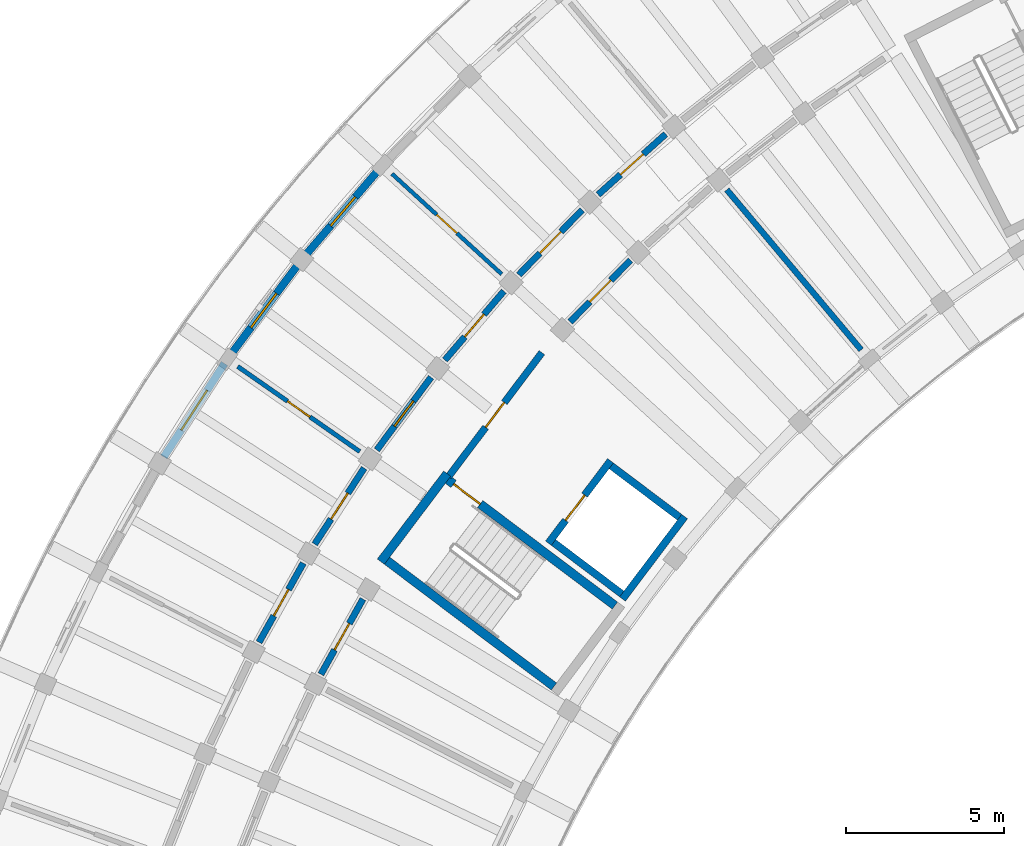
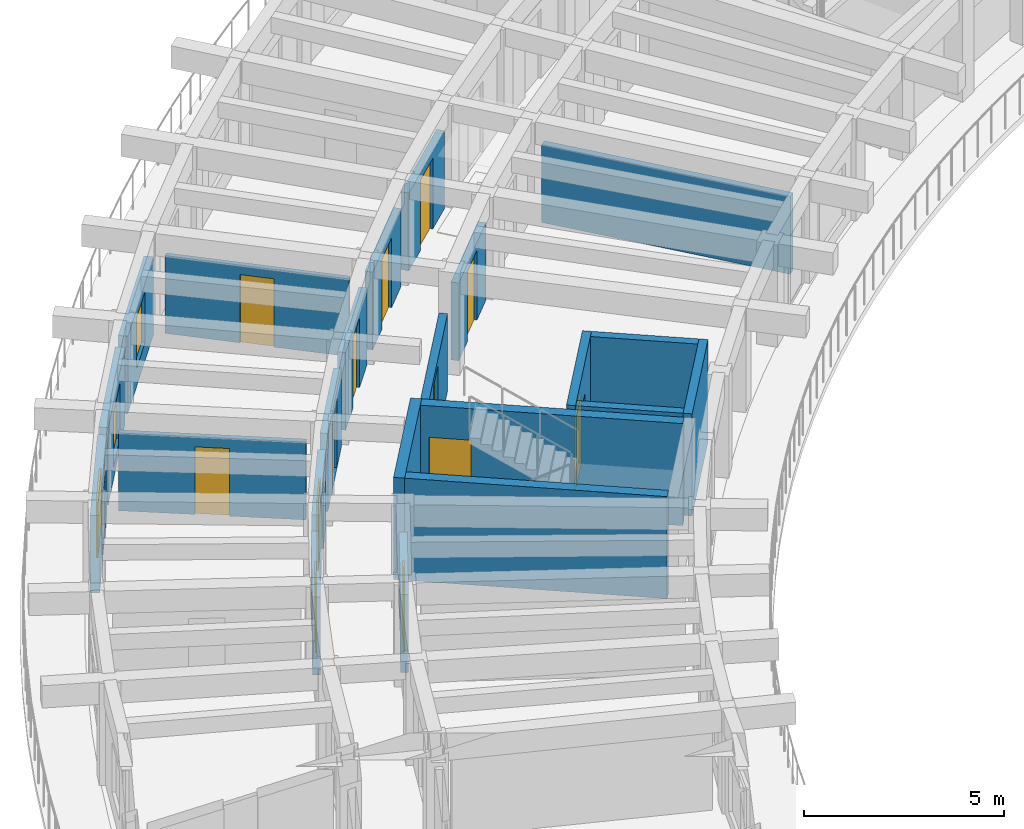
# One storey, part 34 of 69: 22 walls, 13 doors, 3 windows, 16 openings.
"""IFC4 building model written with IfcOpenShell, lengths in metres."""

from ifc_helpers import new_model, si_unit, direction, frame, frame_2d, origin, place, context, subcontext, project, spatial, rectangle, extrude, material, layer, layer_set, type_object, element, fill, save


model = new_model("IFC4")

# Units and contexts
model_context = context("Model", 3, precision=1e-05, world=origin(), true_north=direction((0.0, 1.0)))
body_context = subcontext(model_context, "Body", "Model", "MODEL_VIEW")
ifc_project = project(units=[si_unit("LENGTHUNIT", "METRE"), si_unit("AREAUNIT", "SQUARE_METRE"), si_unit("VOLUMEUNIT", "CUBIC_METRE"), si_unit("PLANEANGLEUNIT", "RADIAN"), si_unit("MASSUNIT", "GRAM", prefix="KILO")], contexts=[model_context])

# Site, building, storey
site_placement = place(None, origin())
site = spatial("IfcSite", under=ifc_project, at=site_placement, CompositionType="ELEMENT")
building_placement = place(site_placement, origin())
building = spatial("IfcBuilding", under=site, at=building_placement, Name="Tanwirah Colonnade Gardens", CompositionType="ELEMENT")
storey_placement = place(building_placement, frame((0.0, 0.0, 15.56005859375)))
storey = spatial("IfcBuildingStorey", under=building, at=storey_placement, Name="L04", CompositionType="ELEMENT", Elevation=15.56005859375)

# Wall, opening, window
ifc_material_1 = material(Name="Limestone architectural precast concrete C40/50", Category="masonry")
ifc_layer_1 = layer(ifc_material_1, 0.2451171875)
ifc_layer_set_1 = layer_set([ifc_layer_1], Name="Limestone architectural precast concrete C40/50")
wall_type_1 = type_object("IfcWallType", Name="EW-PC245", PredefinedType="SOLIDWALL", material=ifc_layer_set_1)
wall_1_placement = place(storey_placement, frame((20.9521484375, 100.267333984375, 0.0), z_axis=(0.0, 0.0, 1.0), x_axis=(-0.65016298181, -0.759794773004, 0.0)))
wall_1 = element("IfcWall", 1, at=wall_1_placement, inside=storey, type_object=wall_type_1, Name="Block A L04 OUT Precast Facade Wall 11", PredefinedType="SOLIDWALL", context=body_context, shape_type="SweptSolid", body=[
    extrude(rectangle(XDim=3.520751953125, YDim=0.2451171875, at=frame_2d((1.76025390625, 0.0))), origin(), (0.0, 0.0, 1.0), 2.35498046875),
])
opening_1_placement = place(wall_1_placement, frame((1.160400390625, 0.0, 0.550048828125)))
opening_1 = element("IfcOpeningElement", 2, at=opening_1_placement, cuts=wall_1, Name="Opening WIN-T02", PredefinedType="OPENING", context=body_context, shape_type="SweptSolid", body=[
    extrude(rectangle(XDim=1.199951171875, YDim=1.550048828125, at=frame_2d((0.60009765625, 0.77490234375))), frame((0.0, 0.132568359375, 0.0), z_axis=(0.0, -1.0, 0.0), x_axis=(1.0, 0.0, 0.0)), (0.0, 0.0, 1.0), 0.26513671875),
])
ifc_material_2 = material(Name="Thermally broken bronze aluminium and solar low-E double glazing", Category="aluminium")
window_type_1 = type_object("IfcWindowType", Name="WIN-T02", PartitioningType="SINGLE_PANEL", PredefinedType="WINDOW", material=ifc_material_2)
window_1_placement = place(opening_1_placement, origin())
window_1 = element("IfcWindow", 3, at=window_1_placement, inside=storey, type_object=window_type_1, Name="Facade window A-L04-OUT-11", OverallHeight=1.550048828125, OverallWidth=1.199951171875, PartitioningType="SINGLE_PANEL", PredefinedType="WINDOW", context=body_context, shape_type="SweptSolid", body=[
    extrude(rectangle(XDim=1.199951171875, YDim=1.550048828125, at=frame_2d((0.60009765625, 0.77490234375))), frame((0.0, 0.030029296875, 0.0), z_axis=(0.0, -1.0, 0.0), x_axis=(1.0, 0.0, 0.0)), (0.0, 0.0, 1.0), 0.06005859375),
])
fill(opening_1, window_1)

wall_2_placement = place(storey_placement, frame((18.35693359375, 97.2099609375, 0.0), z_axis=(0.0, 0.0, 1.0), x_axis=(-0.598701122926, -0.800972512267, 0.0)))
wall_2 = element("IfcWall", 4, at=wall_2_placement, inside=storey, type_object=wall_type_1, Name="Block A L04 OUT Precast Facade Wall 12", PredefinedType="SOLIDWALL", context=body_context, shape_type="SweptSolid", body=[
    extrude(rectangle(XDim=3.520751953125, YDim=0.2451171875, at=frame_2d((1.76025390625, 0.0))), origin(), (0.0, 0.0, 1.0), 2.35498046875),
])
opening_2_placement = place(wall_2_placement, frame((1.085205078125, 0.0, 0.35009765625)))
opening_2 = element("IfcOpeningElement", 5, at=opening_2_placement, cuts=wall_2, Name="Opening WIN-T05", PredefinedType="OPENING", context=body_context, shape_type="SweptSolid", body=[
    extrude(rectangle(XDim=1.35009765625, YDim=1.64990234375, at=frame_2d((0.675048828125, 0.824951171875))), frame((0.0, 0.132568359375, 0.0), z_axis=(0.0, -1.0, 0.0), x_axis=(1.0, 0.0, 0.0)), (0.0, 0.0, 1.0), 0.26513671875),
])
window_type_2 = type_object("IfcWindowType", Name="WIN-T05", PartitioningType="DOUBLE_PANEL_VERTICAL", PredefinedType="WINDOW", material=ifc_material_2)
window_2_placement = place(opening_2_placement, origin())
window_2 = element("IfcWindow", 6, at=window_2_placement, inside=storey, type_object=window_type_2, Name="Facade window A-L04-OUT-12", OverallHeight=1.64990234375, OverallWidth=1.35009765625, PartitioningType="SINGLE_PANEL", PredefinedType="WINDOW", context=body_context, shape_type="SweptSolid", body=[
    extrude(rectangle(XDim=1.35009765625, YDim=1.64990234375, at=frame_2d((0.675048828125, 0.824951171875))), frame((0.0, 0.030029296875, 0.0), z_axis=(0.0, -1.0, 0.0), x_axis=(1.0, 0.0, 0.0)), (0.0, 0.0, 1.0), 0.06005859375),
])
fill(opening_2, window_2)

wall_3_placement = place(storey_placement, frame((16.066162109375, 94.127685546875, 0.0), z_axis=(0.0, 0.0, 1.0), x_axis=(-0.544610510414, -0.838689091349, 0.0)))
wall_3 = element("IfcWall", 7, at=wall_3_placement, inside=storey, type_object=wall_type_1, Name="Block A L04 OUT Precast Facade Wall 13", PredefinedType="SOLIDWALL", context=body_context, shape_type="SweptSolid", body=[
    extrude(rectangle(XDim=3.520751953125, YDim=0.2451171875, at=frame_2d((1.76025390625, 0.0))), origin(), (0.0, 0.0, 1.0), 2.35498046875),
])
opening_3_placement = place(wall_3_placement, frame((1.01025390625, 0.0, 0.35009765625)))
opening_3 = element("IfcOpeningElement", 8, at=opening_3_placement, cuts=wall_3, Name="Opening WIN-T08", PredefinedType="OPENING", context=body_context, shape_type="SweptSolid", body=[
    extrude(rectangle(XDim=1.5, YDim=1.699951171875, at=frame_2d((0.75, 0.85009765625))), frame((0.0, 0.132568359375, 0.0), z_axis=(0.0, -1.0, 0.0), x_axis=(1.0, 0.0, 0.0)), (0.0, 0.0, 1.0), 0.26513671875),
])
window_type_3 = type_object("IfcWindowType", Name="WIN-T08", PartitioningType="DOUBLE_PANEL_VERTICAL", PredefinedType="WINDOW", material=ifc_material_2)
window_3_placement = place(opening_3_placement, origin())
window_3 = element("IfcWindow", 9, at=window_3_placement, inside=storey, type_object=window_type_3, Name="Facade window A-L04-OUT-13", OverallHeight=1.699951171875, OverallWidth=1.5, PartitioningType="SINGLE_PANEL", PredefinedType="WINDOW", context=body_context, shape_type="SweptSolid", body=[
    extrude(rectangle(XDim=1.5, YDim=1.699951171875, at=frame_2d((0.75, 0.85009765625))), frame((0.0, 0.030029296875, 0.0), z_axis=(0.0, -1.0, 0.0), x_axis=(1.0, 0.0, 0.0)), (0.0, 0.0, 1.0), 0.06005859375),
])
fill(opening_3, window_3)

# Wall, opening, door
ifc_material_3 = material(Name="Precast concrete C40/50", Category="concrete")
ifc_layer_2 = layer(ifc_material_3, 0.205078125)
ifc_layer_set_2 = layer_set([ifc_layer_2], Name="Precast concrete C40/50")
wall_type_2 = type_object("IfcWallType", Name="IW-CORR205", PredefinedType="PARTITIONING", material=ifc_layer_set_2)
wall_4_placement = place(storey_placement, frame((29.996826171875, 101.37109375, 0.0), z_axis=(0.0, 0.0, 1.0), x_axis=(-0.744433521088, -0.667696587291, 0.0)))
wall_4 = element("IfcWall", 10, at=wall_4_placement, inside=storey, type_object=wall_type_2, Name="Block A L04 OUT Corridor Wall 9", PredefinedType="PARTITIONING", context=body_context, shape_type="SweptSolid", body=[
    extrude(rectangle(XDim=2.86328125, YDim=0.205078125, at=frame_2d((1.431640625, 0.0))), origin(), (0.0, 0.0, 1.0), 2.369873046875),
])
opening_4_placement = place(wall_4_placement, frame((0.946533203125, 0.0, 0.0)))
opening_4 = element("IfcOpeningElement", 11, at=opening_4_placement, cuts=wall_4, Name="Opening L04-AD410", PredefinedType="OPENING", context=body_context, shape_type="SweptSolid", body=[
    extrude(rectangle(XDim=0.969970703125, YDim=2.14990234375, at=frame_2d((0.48486328125, 1.074951171875))), frame((0.0, 0.112548828125, 0.0), z_axis=(0.0, -1.0, 0.0), x_axis=(1.0, 0.0, 0.0)), (0.0, 0.0, 1.0), 0.22509765625),
])
ifc_material_4 = material(Name="Solid oak fire-resisting apartment entrance door")
door_type_1 = type_object("IfcDoorType", Name="ID-FLT097", OperationType="NOTDEFINED", PredefinedType="DOOR", material=ifc_material_4)
door_1_placement = place(opening_4_placement, origin())
door_1 = element("IfcDoor", 12, at=door_1_placement, inside=storey, type_object=door_type_1, Name="Apartment corridor door L04-AD410", OperationType="SINGLE_SWING_RIGHT", OverallHeight=2.14990234375, OverallWidth=0.969970703125, PredefinedType="DOOR", context=body_context, shape_type="SweptSolid", body=[
    extrude(rectangle(XDim=0.969970703125, YDim=2.14990234375, at=frame_2d((0.48486328125, 1.074951171875))), frame((0.0, 0.02490234375, 0.0), z_axis=(0.0, -1.0, 0.0), x_axis=(1.0, 0.0, 0.0)), (0.0, 0.0, 1.0), 0.050048828125),
])
fill(opening_4, door_1)

wall_5_placement = place(storey_placement, frame((27.360107421875, 98.975341796875, 0.0), z_axis=(0.0, 0.0, 1.0), x_axis=(-0.698787219683, -0.715329589496, 0.0)))
wall_5 = element("IfcWall", 13, at=wall_5_placement, inside=storey, type_object=wall_type_2, Name="Block A L04 OUT Corridor Wall 10", PredefinedType="PARTITIONING", context=body_context, shape_type="SweptSolid", body=[
    extrude(rectangle(XDim=2.863037109375, YDim=0.205078125, at=frame_2d((1.431640625, 0.0))), origin(), (0.0, 0.0, 1.0), 2.369873046875),
])
opening_5_placement = place(wall_5_placement, frame((0.95654296875, 0.0, 0.0)))
opening_5 = element("IfcOpeningElement", 14, at=opening_5_placement, cuts=wall_5, Name="Opening L04-AD412", PredefinedType="OPENING", context=body_context, shape_type="SweptSolid", body=[
    extrude(rectangle(XDim=0.949951171875, YDim=2.1298828125, at=frame_2d((0.47509765625, 1.06494140625))), frame((0.0, 0.112548828125, 0.0), z_axis=(0.0, -1.0, 0.0), x_axis=(1.0, 0.0, 0.0)), (0.0, 0.0, 1.0), 0.22509765625),
])
door_type_2 = type_object("IfcDoorType", Name="ID-FLT095", OperationType="NOTDEFINED", PredefinedType="DOOR", material=ifc_material_4)
door_2_placement = place(opening_5_placement, origin())
door_2 = element("IfcDoor", 15, at=door_2_placement, inside=storey, type_object=door_type_2, Name="Apartment corridor door L04-AD412", OperationType="SINGLE_SWING_LEFT", OverallHeight=2.1298828125, OverallWidth=0.949951171875, PredefinedType="DOOR", context=body_context, shape_type="SweptSolid", body=[
    extrude(rectangle(XDim=0.949951171875, YDim=2.1298828125, at=frame_2d((0.47509765625, 1.06494140625))), frame((0.0, 0.02490234375, 0.0), z_axis=(0.0, -1.0, 0.0), x_axis=(1.0, 0.0, 0.0)), (0.0, 0.0, 1.0), 0.050048828125),
])
fill(opening_5, door_2)

wall_6_placement = place(storey_placement, frame((28.88232421875, 97.38671875, 0.0), z_axis=(0.0, 0.0, 1.0), x_axis=(-0.698840007829, -0.715278018296, 0.0)))
wall_6 = element("IfcWall", 16, at=wall_6_placement, inside=storey, type_object=wall_type_2, Name="Block A L04 IN Corridor Wall 10", PredefinedType="PARTITIONING", context=body_context, shape_type="SweptSolid", body=[
    extrude(rectangle(XDim=2.718017578125, YDim=0.205078125, at=frame_2d((1.35888671875, 0.0))), origin(), (0.0, 0.0, 1.0), 2.369873046875),
])
opening_6_placement = place(wall_6_placement, frame((0.884033203125, 0.0, 0.0)))
opening_6 = element("IfcOpeningElement", 17, at=opening_6_placement, cuts=wall_6, Name="Opening L04-AD413", PredefinedType="OPENING", context=body_context, shape_type="SweptSolid", body=[
    extrude(rectangle(XDim=0.949951171875, YDim=2.1298828125, at=frame_2d((0.47509765625, 1.06494140625))), frame((0.0, 0.112548828125, 0.0), z_axis=(0.0, -1.0, 0.0), x_axis=(1.0, 0.0, 0.0)), (0.0, 0.0, 1.0), 0.22509765625),
])
door_3_placement = place(opening_6_placement, origin())
door_3 = element("IfcDoor", 18, at=door_3_placement, inside=storey, type_object=door_type_2, Name="Apartment corridor door L04-AD413", OperationType="SINGLE_SWING_RIGHT", OverallHeight=2.1298828125, OverallWidth=0.949951171875, PredefinedType="DOOR", context=body_context, shape_type="SweptSolid", body=[
    extrude(rectangle(XDim=0.949951171875, YDim=2.1298828125, at=frame_2d((0.47509765625, 1.06494140625))), frame((0.0, 0.02490234375, 0.0), z_axis=(0.0, -1.0, 0.0), x_axis=(1.0, 0.0, 0.0)), (0.0, 0.0, 1.0), 0.050048828125),
])
fill(opening_6, door_3)

wall_7_placement = place(storey_placement, frame((24.88720703125, 96.4111328125, 0.0), z_axis=(0.0, 0.0, 1.0), x_axis=(-0.650194272684, -0.759767996015, 0.0)))
wall_7 = element("IfcWall", 19, at=wall_7_placement, inside=storey, type_object=wall_type_2, Name="Block A L04 OUT Corridor Wall 11", PredefinedType="PARTITIONING", context=body_context, shape_type="SweptSolid", body=[
    extrude(rectangle(XDim=2.863037109375, YDim=0.205078125, at=frame_2d((1.431640625, 0.0))), origin(), (0.0, 0.0, 1.0), 2.369873046875),
])
opening_7_placement = place(wall_7_placement, frame((0.966552734375, 0.0, 0.0)))
opening_7 = element("IfcOpeningElement", 20, at=opening_7_placement, cuts=wall_7, Name="Opening L04-AD415", PredefinedType="OPENING", context=body_context, shape_type="SweptSolid", body=[
    extrude(rectangle(XDim=0.929931640625, YDim=2.1201171875, at=frame_2d((0.46484375, 1.06005859375))), frame((0.0, 0.112548828125, 0.0), z_axis=(0.0, -1.0, 0.0), x_axis=(1.0, 0.0, 0.0)), (0.0, 0.0, 1.0), 0.22509765625),
])
door_type_3 = type_object("IfcDoorType", Name="ID-FLT093", OperationType="NOTDEFINED", PredefinedType="DOOR", material=ifc_material_4)
door_4_placement = place(opening_7_placement, origin())
door_4 = element("IfcDoor", 21, at=door_4_placement, inside=storey, type_object=door_type_3, Name="Apartment corridor door L04-AD415", OperationType="SINGLE_SWING_RIGHT", OverallHeight=2.1201171875, OverallWidth=0.929931640625, PredefinedType="DOOR", context=body_context, shape_type="SweptSolid", body=[
    extrude(rectangle(XDim=0.929931640625, YDim=2.1201171875, at=frame_2d((0.46484375, 1.06005859375))), frame((0.0, 0.02490234375, 0.0), z_axis=(0.0, -1.0, 0.0), x_axis=(1.0, 0.0, 0.0)), (0.0, 0.0, 1.0), 0.050048828125),
])
fill(opening_7, door_4)

wall_8_placement = place(storey_placement, frame((22.588623046875, 93.689453125, 0.0), z_axis=(0.0, 0.0, 1.0), x_axis=(-0.598757763243, -0.800930172335, 0.0)))
wall_8 = element("IfcWall", 22, at=wall_8_placement, inside=storey, type_object=wall_type_2, Name="Block A L04 OUT Corridor Wall 12", PredefinedType="PARTITIONING", context=body_context, shape_type="SweptSolid", body=[
    extrude(rectangle(XDim=2.86328125, YDim=0.205078125, at=frame_2d((1.431640625, 0.0))), origin(), (0.0, 0.0, 1.0), 2.369873046875),
])
opening_8_placement = place(wall_8_placement, frame((0.9365234375, 0.0, 0.0)))
opening_8 = element("IfcOpeningElement", 23, at=opening_8_placement, cuts=wall_8, Name="Opening L04-AD416", PredefinedType="OPENING", context=body_context, shape_type="SweptSolid", body=[
    extrude(rectangle(XDim=0.989990234375, YDim=2.159912109375, at=frame_2d((0.4951171875, 1.080078125))), frame((0.0, 0.112548828125, 0.0), z_axis=(0.0, -1.0, 0.0), x_axis=(1.0, 0.0, 0.0)), (0.0, 0.0, 1.0), 0.22509765625),
])
door_type_4 = type_object("IfcDoorType", Name="ID-FLT099", OperationType="NOTDEFINED", PredefinedType="DOOR", material=ifc_material_4)
door_5_placement = place(opening_8_placement, origin())
door_5 = element("IfcDoor", 24, at=door_5_placement, inside=storey, type_object=door_type_4, Name="Apartment corridor door L04-AD416", OperationType="SINGLE_SWING_LEFT", OverallHeight=2.159912109375, OverallWidth=0.989990234375, PredefinedType="DOOR", context=body_context, shape_type="SweptSolid", body=[
    extrude(rectangle(XDim=0.989990234375, YDim=2.159912109375, at=frame_2d((0.4951171875, 1.080078125))), frame((0.0, 0.02490234375, 0.0), z_axis=(0.0, -1.0, 0.0), x_axis=(1.0, 0.0, 0.0)), (0.0, 0.0, 1.0), 0.050048828125),
])
fill(opening_8, door_5)

wall_9_placement = place(storey_placement, frame((20.47412109375, 90.822265625, 0.0), z_axis=(0.0, 0.0, 1.0), x_axis=(-0.544643612649, -0.838667595178, 0.0)))
wall_9 = element("IfcWall", 25, at=wall_9_placement, inside=storey, type_object=wall_type_2, Name="Block A L04 OUT Corridor Wall 13", PredefinedType="PARTITIONING", context=body_context, shape_type="SweptSolid", body=[
    extrude(rectangle(XDim=2.863037109375, YDim=0.205078125, at=frame_2d((1.431640625, 0.0))), origin(), (0.0, 0.0, 1.0), 2.369873046875),
])
opening_9_placement = place(wall_9_placement, frame((0.946533203125, 0.0, 0.0)))
opening_9 = element("IfcOpeningElement", 26, at=opening_9_placement, cuts=wall_9, Name="Opening L04-AD418", PredefinedType="OPENING", context=body_context, shape_type="SweptSolid", body=[
    extrude(rectangle(XDim=0.969970703125, YDim=2.14990234375, at=frame_2d((0.48486328125, 1.074951171875))), frame((0.0, 0.112548828125, 0.0), z_axis=(0.0, -1.0, 0.0), x_axis=(1.0, 0.0, 0.0)), (0.0, 0.0, 1.0), 0.22509765625),
])
door_6_placement = place(opening_9_placement, origin())
door_6 = element("IfcDoor", 27, at=door_6_placement, inside=storey, type_object=door_type_1, Name="Apartment corridor door L04-AD418", OperationType="SINGLE_SWING_RIGHT", OverallHeight=2.14990234375, OverallWidth=0.969970703125, PredefinedType="DOOR", context=body_context, shape_type="SweptSolid", body=[
    extrude(rectangle(XDim=0.969970703125, YDim=2.14990234375, at=frame_2d((0.48486328125, 1.074951171875))), frame((0.0, 0.02490234375, 0.0), z_axis=(0.0, -1.0, 0.0), x_axis=(1.0, 0.0, 0.0)), (0.0, 0.0, 1.0), 0.050048828125),
])
fill(opening_9, door_6)

wall_10_placement = place(storey_placement, frame((18.55322265625, 87.822021484375, 0.0), z_axis=(0.0, 0.0, 1.0), x_axis=(-0.488211211273, -0.872725508501, 0.0)))
wall_10 = element("IfcWall", 28, at=wall_10_placement, inside=storey, type_object=wall_type_2, Name="Block A L04 OUT Corridor Wall 14", PredefinedType="PARTITIONING", context=body_context, shape_type="SweptSolid", body=[
    extrude(rectangle(XDim=2.86279296875, YDim=0.205078125, at=frame_2d((1.431396484375, 0.0))), origin(), (0.0, 0.0, 1.0), 2.369873046875),
])
opening_10_placement = place(wall_10_placement, frame((0.95654296875, 0.0, 0.0)))
opening_10 = element("IfcOpeningElement", 29, at=opening_10_placement, cuts=wall_10, Name="Opening L04-AD419", PredefinedType="OPENING", context=body_context, shape_type="SweptSolid", body=[
    extrude(rectangle(XDim=0.949951171875, YDim=2.1298828125, at=frame_2d((0.47509765625, 1.06494140625))), frame((0.0, 0.112548828125, 0.0), z_axis=(0.0, -1.0, 0.0), x_axis=(1.0, 0.0, 0.0)), (0.0, 0.0, 1.0), 0.22509765625),
])
door_7_placement = place(opening_10_placement, origin())
door_7 = element("IfcDoor", 30, at=door_7_placement, inside=storey, type_object=door_type_2, Name="Apartment corridor door L04-AD419", OperationType="SINGLE_SWING_LEFT", OverallHeight=2.1298828125, OverallWidth=0.949951171875, PredefinedType="DOOR", context=body_context, shape_type="SweptSolid", body=[
    extrude(rectangle(XDim=0.949951171875, YDim=2.1298828125, at=frame_2d((0.47509765625, 1.06494140625))), frame((0.0, 0.02490234375, 0.0), z_axis=(0.0, -1.0, 0.0), x_axis=(1.0, 0.0, 0.0)), (0.0, 0.0, 1.0), 0.050048828125),
])
fill(opening_10, door_7)

wall_11_placement = place(storey_placement, frame((20.436767578125, 86.685302734375, 0.0), z_axis=(0.0, 0.0, 1.0), x_axis=(-0.48819576874, -0.872734147025, 0.0)))
wall_11 = element("IfcWall", 31, at=wall_11_placement, inside=storey, type_object=wall_type_2, Name="Block A L04 IN Corridor Wall 14", PredefinedType="PARTITIONING", context=body_context, shape_type="SweptSolid", body=[
    extrude(rectangle(XDim=2.718017578125, YDim=0.205078125, at=frame_2d((1.35888671875, 0.0))), origin(), (0.0, 0.0, 1.0), 2.369873046875),
])
opening_11_placement = place(wall_11_placement, frame((0.884033203125, 0.0, 0.0)))
opening_11 = element("IfcOpeningElement", 32, at=opening_11_placement, cuts=wall_11, Name="Opening L04-AD420", PredefinedType="OPENING", context=body_context, shape_type="SweptSolid", body=[
    extrude(rectangle(XDim=0.949951171875, YDim=2.1298828125, at=frame_2d((0.47509765625, 1.06494140625))), frame((0.0, 0.112548828125, 0.0), z_axis=(0.0, -1.0, 0.0), x_axis=(1.0, 0.0, 0.0)), (0.0, 0.0, 1.0), 0.22509765625),
])
door_8_placement = place(opening_11_placement, origin())
door_8 = element("IfcDoor", 33, at=door_8_placement, inside=storey, type_object=door_type_2, Name="Apartment corridor door L04-AD420", OperationType="SINGLE_SWING_RIGHT", OverallHeight=2.1298828125, OverallWidth=0.949951171875, PredefinedType="DOOR", context=body_context, shape_type="SweptSolid", body=[
    extrude(rectangle(XDim=0.949951171875, YDim=2.1298828125, at=frame_2d((0.47509765625, 1.06494140625))), frame((0.0, 0.02490234375, 0.0), z_axis=(0.0, -1.0, 0.0), x_axis=(1.0, 0.0, 0.0)), (0.0, 0.0, 1.0), 0.050048828125),
])
fill(opening_11, door_8)

# Wall
ifc_layer_3 = layer(ifc_material_3, 0.18505859375)
ifc_layer_set_3 = layer_set([ifc_layer_3], Name="Precast concrete C40/50")
wall_type_3 = type_object("IfcWallType", Name="IW-DEM185", PredefinedType="PARTITIONING", material=ifc_layer_set_3)
wall_12_placement = place(storey_placement, frame((36.1708984375, 94.55712890625, 0.0), z_axis=(0.0, 0.0, 1.0), x_axis=(-0.642789470807, 0.766042881449, 0.0)))
element("IfcWall", 34, at=wall_12_placement, inside=storey, type_object=wall_type_3, Name="Block A L04 Inner Radial Partition 8", PredefinedType="PARTITIONING", context=body_context, shape_type="SweptSolid", body=[
    extrude(rectangle(XDim=6.60009765625, YDim=0.18505859375, at=frame_2d((3.300048828125, 0.0))), origin(), (0.0, 0.0, 1.0), 2.369873046875),
])

# Wall, opening, door
ifc_material_5 = material(Name="Autoclaved aerated masonry blockwork", Category="masonry")
ifc_layer_4 = layer(ifc_material_5, 0.219970703125)
ifc_layer_set_4 = layer_set([ifc_layer_4], Name="Autoclaved aerated masonry blockwork")
wall_type_4 = type_object("IfcWallType", Name="IW-FFL220", PredefinedType="PARTITIONING", material=ifc_layer_set_4)
wall_13_placement = place(storey_placement, frame((23.138916015625, 90.55517578125, 0.0), z_axis=(0.0, 0.0, 1.0), x_axis=(0.601792209296, 0.79865270101, 0.0)))
wall_13 = element("IfcWall", 35, at=wall_13_placement, inside=storey, type_object=wall_type_4, Name="CORE-A2 L04 Enclosed Lobby Fire Wall", PredefinedType="PARTITIONING", context=body_context, shape_type="SweptSolid", body=[
    extrude(rectangle(XDim=4.89990234375, YDim=0.219970703125, at=frame_2d((2.449951171875, 0.0))), origin(), (0.0, 0.0, 1.0), 2.33984375),
])
opening_12_placement = place(wall_13_placement, frame((1.949951171875, 0.0, 0.0)))
opening_12 = element("IfcOpeningElement", 36, at=opening_12_placement, cuts=wall_13, Name="Opening L04-LD054", PredefinedType="OPENING", context=body_context, shape_type="SweptSolid", body=[
    extrude(rectangle(XDim=0.97998046875, YDim=2.139892578125, at=frame_2d((0.489990234375, 1.06982421875))), frame((0.0, 0.119873046875, 0.0), z_axis=(0.0, -1.0, 0.0), x_axis=(1.0, 0.0, 0.0)), (0.0, 0.0, 1.0), 0.239990234375),
])
ifc_material_6 = material(Name="Acoustic fire-resisting lobby door")
door_type_5 = type_object("IfcDoorType", Name="ID-FFL098", OperationType="NOTDEFINED", PredefinedType="DOOR", material=ifc_material_6)
door_9_placement = place(opening_12_placement, origin())
door_9 = element("IfcDoor", 37, at=door_9_placement, inside=storey, type_object=door_type_5, Name="CORE-A2 L04 Lobby Fire Door L04-LD054", OperationType="SINGLE_SWING_LEFT", OverallHeight=2.139892578125, OverallWidth=0.97998046875, PredefinedType="DOOR", context=body_context, shape_type="SweptSolid", body=[
    extrude(rectangle(XDim=0.97998046875, YDim=2.139892578125, at=frame_2d((0.489990234375, 1.06982421875))), frame((0.0, 0.02490234375, 0.0), z_axis=(0.0, -1.0, 0.0), x_axis=(1.0, 0.0, 0.0)), (0.0, 0.0, 1.0), 0.050048828125),
])
fill(opening_12, door_9)

ifc_material_7 = material(Name="Moisture-resistant gypsum stud partition")
ifc_layer_5 = layer(ifc_material_7, 0.125)
ifc_layer_set_5 = layer_set([ifc_layer_5], Name="Moisture-resistant gypsum stud partition")
wall_type_5 = type_object("IfcWallType", Name="IW-INT125", PredefinedType="PARTITIONING", material=ifc_layer_set_5)
wall_14_placement = place(storey_placement, frame((24.819580078125, 96.947021484375, 0.0), z_axis=(0.0, 0.0, 1.0), x_axis=(-0.737934199263, 0.674872667663, 0.0)))
wall_14 = element("IfcWall", 38, at=wall_14_placement, inside=storey, type_object=wall_type_5, Name="Block A L04 Radial Partition 10", PredefinedType="PARTITIONING", context=body_context, shape_type="SweptSolid", body=[
    extrude(rectangle(XDim=4.699951171875, YDim=0.125, at=frame_2d((2.35009765625, 0.0))), origin(), (0.0, 0.0, 1.0), 2.369873046875),
])
opening_13_placement = place(wall_14_placement, frame((1.9150390625, 0.0, 0.0)))
opening_13 = element("IfcOpeningElement", 39, at=opening_13_placement, cuts=wall_14, Name="Opening L04-RD414", PredefinedType="OPENING", context=body_context, shape_type="SweptSolid", body=[
    extrude(rectangle(XDim=0.8701171875, YDim=2.080078125, at=frame_2d((0.43505859375, 1.0400390625))), frame((0.0, 0.072509765625, 0.0), z_axis=(0.0, -1.0, 0.0), x_axis=(1.0, 0.0, 0.0)), (0.0, 0.0, 1.0), 0.14501953125),
])
ifc_material_8 = material(Name="Painted hardwood study door", Category="wood")
door_type_6 = type_object("IfcDoorType", Name="ID-RM087", OperationType="NOTDEFINED", PredefinedType="DOOR", material=ifc_material_8)
door_10_placement = place(opening_13_placement, origin())
door_10 = element("IfcDoor", 40, at=door_10_placement, inside=storey, type_object=door_type_6, Name="Internal apartment door L04-RD414", OperationType="SINGLE_SWING_LEFT", OverallHeight=2.080078125, OverallWidth=0.8701171875, PredefinedType="DOOR", context=body_context, shape_type="SweptSolid", body=[
    extrude(rectangle(XDim=0.8701171875, YDim=2.080078125, at=frame_2d((0.43505859375, 1.0400390625))), frame((0.0, 0.02490234375, 0.0), z_axis=(0.0, -1.0, 0.0), x_axis=(1.0, 0.0, 0.0)), (0.0, 0.0, 1.0), 0.050048828125),
])
fill(opening_13, door_10)

ifc_material_9 = material(Name="Water-resistant acoustic plumbing partition")
ifc_layer_6 = layer(ifc_material_9, 0.139892578125)
ifc_layer_set_6 = layer_set([ifc_layer_6], Name="Water-resistant acoustic plumbing partition")
wall_type_6 = type_object("IfcWallType", Name="IW-WET140", PredefinedType="PLUMBINGWALL", material=ifc_layer_set_6)
wall_15_placement = place(storey_placement, frame((20.336669921875, 91.3447265625, 0.0), z_axis=(0.0, 0.0, 1.0), x_axis=(-0.820272617205, 0.571972755876, 0.0)))
wall_15 = element("IfcWall", 41, at=wall_15_placement, inside=storey, type_object=wall_type_6, Name="Block A L04 Radial Partition 12", PredefinedType="PLUMBINGWALL", context=body_context, shape_type="SweptSolid", body=[
    extrude(rectangle(XDim=4.699951171875, YDim=0.139892578125, at=frame_2d((2.35009765625, 0.0))), origin(), (0.0, 0.0, 1.0), 2.369873046875),
])
opening_14_placement = place(wall_15_placement, frame((1.919921875, 0.0, 0.0)))
opening_14 = element("IfcOpeningElement", 42, at=opening_14_placement, cuts=wall_15, Name="Opening L04-RD417", PredefinedType="OPENING", context=body_context, shape_type="SweptSolid", body=[
    extrude(rectangle(XDim=0.860107421875, YDim=2.06005859375, at=frame_2d((0.43017578125, 1.030029296875))), frame((0.0, 0.079833984375, 0.0), z_axis=(0.0, -1.0, 0.0), x_axis=(1.0, 0.0, 0.0)), (0.0, 0.0, 1.0), 0.159912109375),
])
ifc_material_10 = material(Name="Moisture-resistant bathroom door")
door_type_7 = type_object("IfcDoorType", Name="ID-WET086", OperationType="NOTDEFINED", PredefinedType="DOOR", material=ifc_material_10)
door_11_placement = place(opening_14_placement, origin())
door_11 = element("IfcDoor", 43, at=door_11_placement, inside=storey, type_object=door_type_7, Name="Internal apartment door L04-RD417", OperationType="SINGLE_SWING_LEFT", OverallHeight=2.06005859375, OverallWidth=0.860107421875, PredefinedType="DOOR", context=body_context, shape_type="SweptSolid", body=[
    extrude(rectangle(XDim=0.860107421875, YDim=2.06005859375, at=frame_2d((0.43017578125, 1.030029296875))), frame((0.0, 0.02490234375, 0.0), z_axis=(0.0, -1.0, 0.0), x_axis=(1.0, 0.0, 0.0)), (0.0, 0.0, 1.0), 0.050048828125),
])
fill(opening_14, door_11)

# Walls
ifc_material_11 = material(Name="Concrete C45/55", Category="concrete")
ifc_layer_7 = layer(ifc_material_11, 0.280029296875)
ifc_layer_set_7 = layer_set([ifc_layer_7], Name="Concrete C45/55")
wall_type_7 = type_object("IfcWallType", Name="SW-CORE280", PredefinedType="SHEAR", material=ifc_layer_set_7)
wall_16_placement = place(storey_placement, frame((21.19873046875, 87.8974609375, 0.0), z_axis=(0.0, 0.0, 1.0), x_axis=(0.798639633744, -0.601809550782, 0.0)))
element("IfcWall", 44, at=wall_16_placement, inside=storey, type_object=wall_type_7, Name="CORE-A2 L04 Stair Shaft Shear Wall LEFT", PredefinedType="SHEAR", context=body_context, shape_type="SweptSolid", body=[
    extrude(rectangle(XDim=6.599853515625, YDim=0.280029296875, at=frame_2d((3.2998046875, 0.0))), origin(), (0.0, 0.0, 1.0), 3.10986328125),
])
wall_17_placement = place(storey_placement, frame((21.002685546875, 87.869873046875, 0.0), z_axis=(0.0, 0.0, 1.0), x_axis=(0.601794470585, 0.798650997102, 0.0)))
element("IfcWall", 45, at=wall_17_placement, inside=storey, type_object=wall_type_7, Name="CORE-A2 L04 Stair Shaft Shear Wall NEAR", PredefinedType="SHEAR", context=body_context, shape_type="SweptSolid", body=[
    extrude(rectangle(XDim=3.47998046875, YDim=0.280029296875, at=frame_2d((1.739990234375, 0.0))), origin(), (0.0, 0.0, 1.0), 3.10986328125),
])

# Wall, opening, door
wall_18_placement = place(storey_placement, frame((23.12451171875, 90.453125, 0.0), z_axis=(0.0, 0.0, 1.0), x_axis=(0.798639633744, -0.601809550782, 0.0)))
wall_18 = element("IfcWall", 46, at=wall_18_placement, inside=storey, type_object=wall_type_7, Name="CORE-A2 L04 Stair Shaft Shear Wall RIGHT", PredefinedType="SHEAR", context=body_context, shape_type="SweptSolid", body=[
    extrude(rectangle(XDim=6.599853515625, YDim=0.280029296875, at=frame_2d((3.2998046875, 0.0))), origin(), (0.0, 0.0, 1.0), 3.10986328125),
])
opening_15_placement = place(wall_18_placement, frame((0.219970703125, 0.0, 0.0)))
opening_15 = element("IfcOpeningElement", 47, at=opening_15_placement, cuts=wall_18, Name="Opening L04-SD038", PredefinedType="OPENING", context=body_context, shape_type="SweptSolid", body=[
    extrude(rectangle(XDim=1.050048828125, YDim=2.14990234375, at=frame_2d((0.52490234375, 1.074951171875))), frame((0.0, 0.14990234375, 0.0), z_axis=(0.0, -1.0, 0.0), x_axis=(1.0, 0.0, 0.0)), (0.0, 0.0, 1.0), 0.300048828125),
])
ifc_material_12 = material(Name="Steel fire-resisting stair enclosure door", Category="steel")
door_type_8 = type_object("IfcDoorType", Name="ID-ST105", OperationType="NOTDEFINED", PredefinedType="DOOR", material=ifc_material_12)
door_12_placement = place(opening_15_placement, origin())
door_12 = element("IfcDoor", 48, at=door_12_placement, inside=storey, type_object=door_type_8, Name="CORE-A2 L04 Stair Fire Door L04-SD038", OperationType="SINGLE_SWING_LEFT", OverallHeight=2.14990234375, OverallWidth=1.050048828125, PredefinedType="DOOR", context=body_context, shape_type="SweptSolid", body=[
    extrude(rectangle(XDim=1.050048828125, YDim=2.14990234375, at=frame_2d((0.52490234375, 1.074951171875))), frame((0.0, 0.02490234375, 0.0), z_axis=(0.0, -1.0, 0.0), x_axis=(1.0, 0.0, 0.0)), (0.0, 0.0, 1.0), 0.050048828125),
])
fill(opening_15, door_12)

ifc_layer_8 = layer(ifc_material_11, 0.22998046875)
ifc_layer_set_8 = layer_set([ifc_layer_8], Name="Concrete C45/55")
wall_type_8 = type_object("IfcWallType", Name="SW-LIFT230", PredefinedType="SHEAR", material=ifc_layer_set_8)
wall_19_placement = place(storey_placement, frame((26.2939453125, 88.452880859375, 0.0), z_axis=(0.0, 0.0, 1.0), x_axis=(0.601819781152, 0.798631924615, 0.0)))
wall_19 = element("IfcWall", 49, at=wall_19_placement, inside=storey, type_object=wall_type_8, Name="CORE-A2 L04 Lift Shaft Wall FRONT", PredefinedType="SHEAR", context=body_context, shape_type="SweptSolid", body=[
    extrude(rectangle(XDim=3.260009765625, YDim=0.22998046875, at=frame_2d((1.6298828125, 0.0))), origin(), (0.0, 0.0, 1.0), 3.10986328125),
])
opening_16_placement = place(wall_19_placement, frame((0.89990234375, 0.0, 0.0)))
opening_16 = element("IfcOpeningElement", 50, at=opening_16_placement, cuts=wall_19, Name="Opening L04-LD-PL-A2", PredefinedType="OPENING", context=body_context, shape_type="SweptSolid", body=[
    extrude(rectangle(XDim=1.0, YDim=2.14990234375, at=frame_2d((0.5, 1.074951171875))), frame((0.0, 0.125, 0.0), z_axis=(0.0, -1.0, 0.0), x_axis=(1.0, 0.0, 0.0)), (0.0, 0.0, 1.0), 0.25),
])
ifc_material_13 = material(Name="Bronze stainless steel sliding lift landing door", Category="steel")
door_type_9 = type_object("IfcDoorType", Name="LD-PS10", OperationType="DOUBLE_DOOR_SLIDING", PredefinedType="DOOR", material=ifc_material_13)
door_13_placement = place(opening_16_placement, origin())
door_13 = element("IfcDoor", 51, at=door_13_placement, inside=storey, type_object=door_type_9, Name="Lift PL-A2 L04 Sliding Landing Door", OperationType="DOUBLE_DOOR_SLIDING", OverallHeight=2.14990234375, OverallWidth=1.0, PredefinedType="DOOR", context=body_context, shape_type="SweptSolid", body=[
    extrude(rectangle(XDim=1.0, YDim=2.14990234375, at=frame_2d((0.5, 1.074951171875))), frame((0.0, 0.02490234375, 0.0), z_axis=(0.0, -1.0, 0.0), x_axis=(1.0, 0.0, 0.0)), (0.0, 0.0, 1.0), 0.050048828125),
])
fill(opening_16, door_13)

# Walls
wall_20_placement = place(storey_placement, frame((28.634033203125, 86.689697265625, 0.0), z_axis=(0.0, 0.0, 1.0), x_axis=(0.601819781152, 0.798631924615, 0.0)))
element("IfcWall", 52, at=wall_20_placement, inside=storey, type_object=wall_type_8, Name="CORE-A2 L04 Lift Shaft Wall BACK", PredefinedType="SHEAR", context=body_context, shape_type="SweptSolid", body=[
    extrude(rectangle(XDim=3.260009765625, YDim=0.22998046875, at=frame_2d((1.6298828125, 0.0))), origin(), (0.0, 0.0, 1.0), 3.10986328125),
])
for number, where, z_axis, x_axis, name in (
    (53, (26.455078125, 88.4755859375, 0.0), (0.0, 0.0, 1.0), (0.798608971494, -0.601850239387, 0.0), "CORE-A2 L04 Lift Shaft Wall SIDEA"),
    (54, (28.278564453125, 90.8955078125, 0.0), (0.0, 0.0, 1.0), (0.798608971494, -0.601850239387, 0.0), "CORE-A2 L04 Lift Shaft Wall SIDEB"),
):
    element("IfcWall", number, at=place(storey_placement, frame(where, z_axis=z_axis, x_axis=x_axis)), inside=storey, type_object=wall_type_8, Name=name, PredefinedType="SHEAR", context=body_context, shape_type="SweptSolid", body=[
        extrude(rectangle(XDim=2.699951171875, YDim=0.22998046875, at=frame_2d((1.35009765625, 0.0))), origin(), (0.0, 0.0, 1.0), 3.10986328125),
    ])

save(model, "model.ifc")
